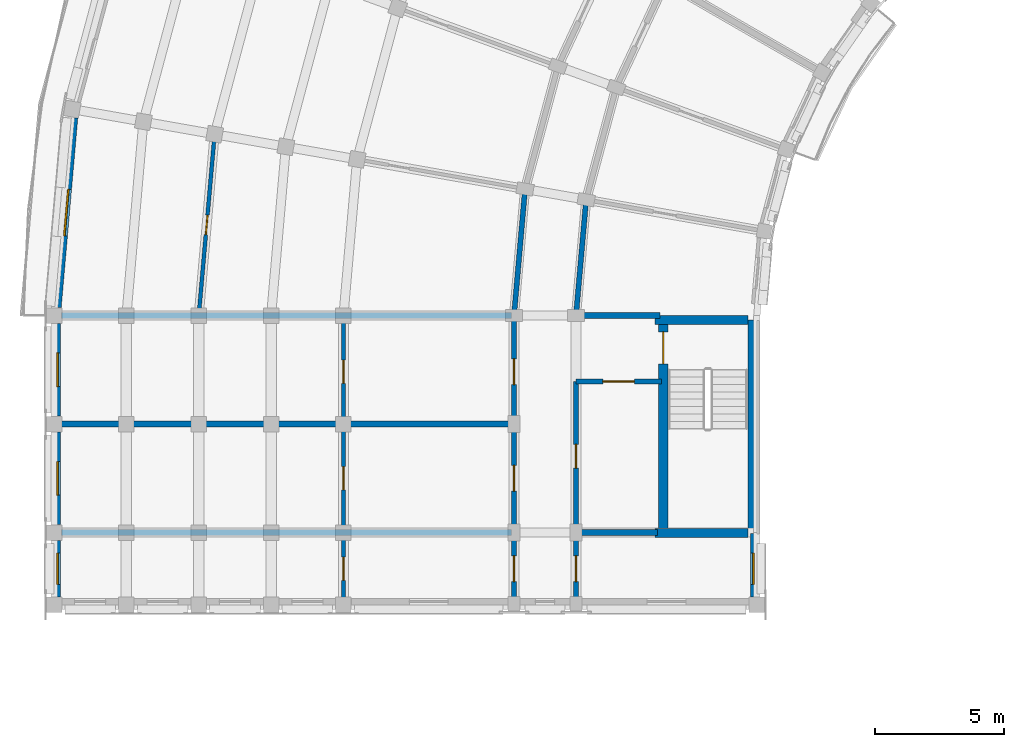
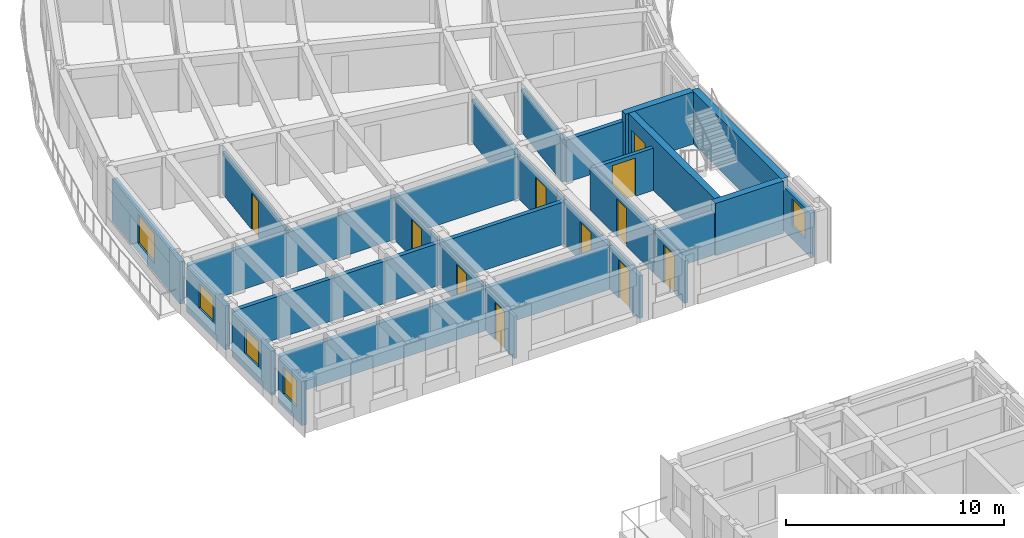
# One storey, part 22 of 53: 26 walls, 11 doors, 5 windows, 16 openings.
"""IFC4 building model written with IfcOpenShell, lengths in metres."""

from ifc_helpers import new_model, si_unit, direction, frame, frame_2d, origin, place, context, subcontext, project, spatial, rectangle, extrude, material, layer, layer_set, type_object, element, fill, save


model = new_model("IFC4")

# Units and contexts
model_context = context("Model", 3, precision=1e-05, world=origin(), true_north=direction((0.0, 1.0)))
body_context = subcontext(model_context, "Body", "Model", "MODEL_VIEW")
ifc_project = project(units=[si_unit("LENGTHUNIT", "METRE"), si_unit("AREAUNIT", "SQUARE_METRE"), si_unit("VOLUMEUNIT", "CUBIC_METRE"), si_unit("PLANEANGLEUNIT", "RADIAN"), si_unit("MASSUNIT", "GRAM", prefix="KILO")], contexts=[model_context])

# Site, building, storey
site_placement = place(None, origin())
site = spatial("IfcSite", under=ifc_project, at=site_placement, CompositionType="ELEMENT")
building_placement = place(site_placement, origin())
building = spatial("IfcBuilding", under=site, at=building_placement, Name="Kiranvali Square Residences", CompositionType="ELEMENT")
storey_placement = place(building_placement, frame((0.0, 0.0, 30.75)))
storey = spatial("IfcBuildingStorey", under=building, at=storey_placement, Name="L09", CompositionType="ELEMENT", Elevation=30.75)

# Wall, opening, door
ifc_material_1 = material(Name="Autoclaved aerated concrete blockwork masonry", Category="masonry")
ifc_layer_1 = layer(ifc_material_1, 0.199951171875)
ifc_layer_set_1 = layer_set([ifc_layer_1], Name="Autoclaved aerated concrete blockwork masonry")
wall_type_1 = type_object("IfcWallType", Name="WL-COR-200", PredefinedType="STANDARD", material=ifc_layer_set_1)
wall_1_placement = place(storey_placement, frame((25.699951171875, 85.25, 0.0), z_axis=(0.0, 0.0, 1.0), x_axis=(-1.0, 0.0, 0.0)))
wall_1 = element("IfcWall", 1, at=wall_1_placement, inside=storey, type_object=wall_type_1, Name="L09 architectural wall WL-L09-A-S3-V", PredefinedType="STANDARD", context=body_context, shape_type="SweptSolid", body=[
    extrude(rectangle(XDim=3.300048828125, YDim=0.199951171875, at=frame_2d((1.64990234375, 0.0))), origin(), (0.0, 0.0, 1.0), 2.3720703125),
])
opening_1_placement = place(wall_1_placement, frame((1.0400390625, 0.0, 0.0)))
opening_1 = element("IfcOpeningElement", 2, at=opening_1_placement, cuts=wall_1, Name="Opening FD-COR-60", PredefinedType="OPENING", context=body_context, shape_type="SweptSolid", body=[
    extrude(rectangle(XDim=1.219970703125, YDim=2.14990234375, at=frame_2d((0.60986328125, 1.074951171875))), frame((0.0, 0.10986328125, 0.0), z_axis=(0.0, -1.0, 0.0), x_axis=(1.0, 0.0, 0.0)), (0.0, 0.0, 1.0), 0.219970703125),
])
ifc_material_2 = material(Name="Fire-rated acoustic hardwood and mineral-core door assembly", Category="wood")
door_type_1 = type_object("IfcDoorType", Name="DR-FD60-1200", OperationType="NOTDEFINED", PredefinedType="DOOR", material=ifc_material_2)
door_1_placement = place(opening_1_placement, origin())
door_1 = element("IfcDoor", 3, at=door_1_placement, inside=storey, type_object=door_type_1, Name="L09 door DR-L09-0577 (DR-FD60-1200)", OperationType="SINGLE_SWING_LEFT", OverallHeight=2.14990234375, OverallWidth=1.219970703125, PredefinedType="DOOR", context=body_context, shape_type="SweptSolid", body=[
    extrude(rectangle(XDim=1.219970703125, YDim=2.14990234375, at=frame_2d((0.60986328125, 1.074951171875))), frame((0.0, 0.02490234375, 0.0), z_axis=(0.0, -1.0, 0.0), x_axis=(1.0, 0.0, 0.0)), (0.0, 0.0, 1.0), 0.050048828125),
])
fill(opening_1, door_1)

wall_2_placement = place(storey_placement, frame((22.39990234375, 85.25, 0.0), z_axis=(0.0, 0.0, 1.0), x_axis=(0.0, -1.0, 0.0)))
wall_2 = element("IfcWall", 4, at=wall_2_placement, inside=storey, type_object=wall_type_1, Name="L09 architectural wall WL-L09-A-S3-COR", PredefinedType="STANDARD", context=body_context, shape_type="SweptSolid", body=[
    extrude(rectangle(XDim=5.800048828125, YDim=0.199951171875, at=frame_2d((2.89990234375, 0.0))), origin(), (0.0, 0.0, 1.0), 2.3720703125),
])
opening_2_placement = place(wall_2_placement, frame((2.43994140625, 0.0, 0.0)))
opening_2 = element("IfcOpeningElement", 5, at=opening_2_placement, cuts=wall_2, Name="Opening FD-SVC-120", PredefinedType="OPENING", context=body_context, shape_type="SweptSolid", body=[
    extrude(rectangle(XDim=0.919921875, YDim=2.10009765625, at=frame_2d((0.4599609375, 1.050048828125))), frame((0.0, 0.10986328125, 0.0), z_axis=(0.0, -1.0, 0.0), x_axis=(1.0, 0.0, 0.0)), (0.0, 0.0, 1.0), 0.219970703125),
])
door_type_2 = type_object("IfcDoorType", Name="DR-SVC-900", OperationType="NOTDEFINED", PredefinedType="DOOR", material=ifc_material_2)
door_2_placement = place(opening_2_placement, frame((0.919921875, 0.0, 0.0), z_axis=(0.0, 0.0, 1.0), x_axis=(-1.0, 0.0, 0.0)))
door_2 = element("IfcDoor", 6, at=door_2_placement, inside=storey, type_object=door_type_2, Name="L09 door DR-L09-0578 (DR-SVC-900)", OperationType="SINGLE_SWING_RIGHT", OverallHeight=2.10009765625, OverallWidth=0.919921875, PredefinedType="DOOR", context=body_context, shape_type="SweptSolid", body=[
    extrude(rectangle(XDim=0.919921875, YDim=2.10009765625, at=frame_2d((0.4599609375, 1.050048828125))), frame((0.0, 0.02490234375, 0.0), z_axis=(0.0, -1.0, 0.0), x_axis=(1.0, 0.0, 0.0)), (0.0, 0.0, 1.0), 0.050048828125),
])
fill(opening_2, door_2)

# Walls
wall_3_placement = place(storey_placement, frame((22.7919921875, 92.280029296875, 0.0), z_axis=(0.0, 0.0, 1.0), x_axis=(-0.087187153726, -0.996191949488, 0.0)))
element("IfcWall", 7, at=wall_3_placement, inside=storey, type_object=wall_type_1, Name="L09 architectural wall WL-L09-A-CCI-8", PredefinedType="STANDARD", context=body_context, shape_type="SweptSolid", body=[
    extrude(rectangle(XDim=4.4970703125, YDim=0.199951171875, at=frame_2d((2.24853515625, 0.0))), origin(), (0.0, 0.0, 1.0), 2.3720703125),
])
wall_4_placement = place(storey_placement, frame((20.428466796875, 92.69677734375, 0.0), z_axis=(0.0, 0.0, 1.0), x_axis=(-0.087167566415, -0.996193663584, 0.0)))
element("IfcWall", 8, at=wall_4_placement, inside=storey, type_object=wall_type_1, Name="L09 architectural wall WL-L09-A-CCO-8", PredefinedType="STANDARD", context=body_context, shape_type="SweptSolid", body=[
    extrude(rectangle(XDim=4.91552734375, YDim=0.199951171875, at=frame_2d((2.457763671875, 0.0))), origin(), (0.0, 0.0, 1.0), 2.3720703125),
])

# Wall, opening, door
wall_5_placement = place(storey_placement, frame((20.0, 87.64990234375, 0.0), z_axis=(0.0, 0.0, 1.0), x_axis=(0.0, -1.0, 0.0)))
wall_5 = element("IfcWall", 9, at=wall_5_placement, inside=storey, type_object=wall_type_1, Name="L09 architectural wall WL-L09-A-A2CF-C0", PredefinedType="STANDARD", context=body_context, shape_type="SweptSolid", body=[
    extrude(rectangle(XDim=4.0498046875, YDim=0.199951171875, at=frame_2d((2.02490234375, 0.0))), origin(), (0.0, 0.0, 1.0), 2.3720703125),
])
opening_3_placement = place(wall_5_placement, frame((1.52490234375, 0.0, 0.0)))
opening_3 = element("IfcOpeningElement", 10, at=opening_3_placement, cuts=wall_5, Name="Opening FD-APT-60", PredefinedType="OPENING", context=body_context, shape_type="SweptSolid", body=[
    extrude(rectangle(XDim=1.0, YDim=2.14990234375, at=frame_2d((0.5, 1.074951171875))), frame((0.0, 0.10986328125, 0.0), z_axis=(0.0, -1.0, 0.0), x_axis=(1.0, 0.0, 0.0)), (0.0, 0.0, 1.0), 0.219970703125),
])
door_type_3 = type_object("IfcDoorType", Name="DR-APT-1000", OperationType="NOTDEFINED", PredefinedType="DOOR", material=ifc_material_2)
door_3_placement = place(opening_3_placement, origin())
door_3 = element("IfcDoor", 11, at=door_3_placement, inside=storey, type_object=door_type_3, Name="L09 door DR-L09-0619 (DR-APT-1000)", OperationType="SINGLE_SWING_LEFT", OverallHeight=2.14990234375, OverallWidth=1.0, PredefinedType="DOOR", context=body_context, shape_type="SweptSolid", body=[
    extrude(rectangle(XDim=1.0, YDim=2.14990234375, at=frame_2d((0.5, 1.074951171875))), frame((0.0, 0.02490234375, 0.0), z_axis=(0.0, -1.0, 0.0), x_axis=(1.0, 0.0, 0.0)), (0.0, 0.0, 1.0), 0.050048828125),
])
fill(opening_3, door_3)

wall_6_placement = place(storey_placement, frame((20.0, 83.60009765625, 0.0), z_axis=(0.0, 0.0, 1.0), x_axis=(0.0, -1.0, 0.0)))
wall_6 = element("IfcWall", 12, at=wall_6_placement, inside=storey, type_object=wall_type_1, Name="L09 architectural wall WL-L09-A-A2CF-C1", PredefinedType="STANDARD", context=body_context, shape_type="SweptSolid", body=[
    extrude(rectangle(XDim=4.2001953125, YDim=0.199951171875, at=frame_2d((2.10009765625, 0.0))), origin(), (0.0, 0.0, 1.0), 2.3720703125),
])
opening_4_placement = place(wall_6_placement, frame((1.60009765625, 0.0, 0.0)))
opening_4 = element("IfcOpeningElement", 13, at=opening_4_placement, cuts=wall_6, Name="Opening FD-APT-60", PredefinedType="OPENING", context=body_context, shape_type="SweptSolid", body=[
    extrude(rectangle(XDim=1.0, YDim=2.14990234375, at=frame_2d((0.5, 1.074951171875))), frame((0.0, 0.10986328125, 0.0), z_axis=(0.0, -1.0, 0.0), x_axis=(1.0, 0.0, 0.0)), (0.0, 0.0, 1.0), 0.219970703125),
])
door_4_placement = place(opening_4_placement, origin())
door_4 = element("IfcDoor", 14, at=door_4_placement, inside=storey, type_object=door_type_3, Name="L09 door DR-L09-0621 (DR-APT-1000)", OperationType="SINGLE_SWING_LEFT", OverallHeight=2.14990234375, OverallWidth=1.0, PredefinedType="DOOR", context=body_context, shape_type="SweptSolid", body=[
    extrude(rectangle(XDim=1.0, YDim=2.14990234375, at=frame_2d((0.5, 1.074951171875))), frame((0.0, 0.02490234375, 0.0), z_axis=(0.0, -1.0, 0.0), x_axis=(1.0, 0.0, 0.0)), (0.0, 0.0, 1.0), 0.050048828125),
])
fill(opening_4, door_4)

wall_7_placement = place(storey_placement, frame((22.39990234375, 79.39990234375, 0.0), z_axis=(0.0, 0.0, 1.0), x_axis=(0.0, -1.0, 0.0)))
wall_7 = element("IfcWall", 15, at=wall_7_placement, inside=storey, type_object=wall_type_1, Name="L09 architectural wall WL-L09-A-A2CI-0", PredefinedType="STANDARD", context=body_context, shape_type="SweptSolid", body=[
    extrude(rectangle(XDim=2.7998046875, YDim=0.199951171875, at=frame_2d((1.39990234375, 0.0))), origin(), (0.0, 0.0, 1.0), 2.3720703125),
])
opening_5_placement = place(wall_7_placement, frame((0.89990234375, 0.0, 0.0)))
opening_5 = element("IfcOpeningElement", 16, at=opening_5_placement, cuts=wall_7, Name="Opening FD-APT-60", PredefinedType="OPENING", context=body_context, shape_type="SweptSolid", body=[
    extrude(rectangle(XDim=1.0, YDim=2.14990234375, at=frame_2d((0.5, 1.074951171875))), frame((0.0, 0.10986328125, 0.0), z_axis=(0.0, -1.0, 0.0), x_axis=(1.0, 0.0, 0.0)), (0.0, 0.0, 1.0), 0.219970703125),
])
door_5_placement = place(opening_5_placement, origin())
door_5 = element("IfcDoor", 17, at=door_5_placement, inside=storey, type_object=door_type_3, Name="L09 door DR-L09-0623 (DR-APT-1000)", OperationType="SINGLE_SWING_LEFT", OverallHeight=2.14990234375, OverallWidth=1.0, PredefinedType="DOOR", context=body_context, shape_type="SweptSolid", body=[
    extrude(rectangle(XDim=1.0, YDim=2.14990234375, at=frame_2d((0.5, 1.074951171875))), frame((0.0, 0.02490234375, 0.0), z_axis=(0.0, -1.0, 0.0), x_axis=(1.0, 0.0, 0.0)), (0.0, 0.0, 1.0), 0.050048828125),
])
fill(opening_5, door_5)

wall_8_placement = place(storey_placement, frame((20.0, 79.39990234375, 0.0), z_axis=(0.0, 0.0, 1.0), x_axis=(0.0, -1.0, 0.0)))
wall_8 = element("IfcWall", 18, at=wall_8_placement, inside=storey, type_object=wall_type_1, Name="L09 architectural wall WL-L09-A-A2CO-0", PredefinedType="STANDARD", context=body_context, shape_type="SweptSolid", body=[
    extrude(rectangle(XDim=2.7998046875, YDim=0.199951171875, at=frame_2d((1.39990234375, 0.0))), origin(), (0.0, 0.0, 1.0), 2.3720703125),
])
opening_6_placement = place(wall_8_placement, frame((0.89990234375, 0.0, 0.0)))
opening_6 = element("IfcOpeningElement", 19, at=opening_6_placement, cuts=wall_8, Name="Opening FD-APT-60", PredefinedType="OPENING", context=body_context, shape_type="SweptSolid", body=[
    extrude(rectangle(XDim=1.0, YDim=2.14990234375, at=frame_2d((0.5, 1.074951171875))), frame((0.0, 0.10986328125, 0.0), z_axis=(0.0, -1.0, 0.0), x_axis=(1.0, 0.0, 0.0)), (0.0, 0.0, 1.0), 0.219970703125),
])
door_6_placement = place(opening_6_placement, origin())
door_6 = element("IfcDoor", 20, at=door_6_placement, inside=storey, type_object=door_type_3, Name="L09 door DR-L09-0625 (DR-APT-1000)", OperationType="SINGLE_SWING_LEFT", OverallHeight=2.14990234375, OverallWidth=1.0, PredefinedType="DOOR", context=body_context, shape_type="SweptSolid", body=[
    extrude(rectangle(XDim=1.0, YDim=2.14990234375, at=frame_2d((0.5, 1.074951171875))), frame((0.0, 0.02490234375, 0.0), z_axis=(0.0, -1.0, 0.0), x_axis=(1.0, 0.0, 0.0)), (0.0, 0.0, 1.0), 0.050048828125),
])
fill(opening_6, door_6)

# Walls
ifc_layer_2 = layer(ifc_material_1, 0.219970703125)
ifc_layer_set_2 = layer_set([ifc_layer_2], Name="Autoclaved aerated concrete blockwork masonry")
wall_type_2 = type_object("IfcWallType", Name="WL-DEM-220", PredefinedType="STANDARD", material=ifc_layer_set_2)
wall_9_placement = place(storey_placement, frame((25.64990234375, 87.800048828125, 0.0), z_axis=(0.0, 0.0, 1.0), x_axis=(-1.0, 0.0, 0.0)))
element("IfcWall", 21, at=wall_9_placement, inside=storey, type_object=wall_type_2, Name="L09 architectural wall WL-L09-A-RADI-9", PredefinedType="STANDARD", context=body_context, shape_type="SweptSolid", body=[
    extrude(rectangle(XDim=3.199951171875, YDim=0.219970703125, at=frame_2d((1.60009765625, 0.0))), origin(), (0.0, 0.0, 1.0), 2.3720703125),
])
wall_10_placement = place(storey_placement, frame((19.89990234375, 87.800048828125, 0.0), z_axis=(0.0, 0.0, 1.0), x_axis=(-1.0, 0.0, 0.0)))
element("IfcWall", 22, at=wall_10_placement, inside=storey, type_object=wall_type_2, Name="L09 architectural wall WL-L09-A-RADO-9", PredefinedType="STANDARD", context=body_context, shape_type="SweptSolid", body=[
    extrude(rectangle(XDim=17.419921875, YDim=0.219970703125, at=frame_2d((8.7099609375, 0.0))), origin(), (0.0, 0.0, 1.0), 2.3720703125),
])
wall_11_placement = place(storey_placement, frame((19.949951171875, 83.60009765625, 0.0), z_axis=(0.0, 0.0, 1.0), x_axis=(-1.0, 0.0, 0.0)))
element("IfcWall", 23, at=wall_11_placement, inside=storey, type_object=wall_type_2, Name="L09 architectural wall WL-L09-A-A2CF-MID", PredefinedType="STANDARD", context=body_context, shape_type="SweptSolid", body=[
    extrude(rectangle(XDim=17.530029296875, YDim=0.219970703125, at=frame_2d((8.76513671875, 0.0))), origin(), (0.0, 0.0, 1.0), 2.3720703125),
])
wall_12_placement = place(storey_placement, frame((25.550048828125, 79.39990234375, 0.0), z_axis=(0.0, 0.0, 1.0), x_axis=(-1.0, 0.0, 0.0)))
element("IfcWall", 24, at=wall_12_placement, inside=storey, type_object=wall_type_2, Name="L09 architectural wall WL-L09-A-A2TI-0", PredefinedType="STANDARD", context=body_context, shape_type="SweptSolid", body=[
    extrude(rectangle(XDim=3.10009765625, YDim=0.219970703125, at=frame_2d((1.550048828125, 0.0))), origin(), (0.0, 0.0, 1.0), 2.3720703125),
])
wall_13_placement = place(storey_placement, frame((19.89990234375, 79.39990234375, 0.0), z_axis=(0.0, 0.0, 1.0), x_axis=(-1.0, 0.0, 0.0)))
element("IfcWall", 25, at=wall_13_placement, inside=storey, type_object=wall_type_2, Name="L09 architectural wall WL-L09-A-A2TO-0", PredefinedType="STANDARD", context=body_context, shape_type="SweptSolid", body=[
    extrude(rectangle(XDim=17.419921875, YDim=0.219970703125, at=frame_2d((8.7099609375, 0.0))), origin(), (0.0, 0.0, 1.0), 2.3720703125),
])

# Wall, opening, window
ifc_material_3 = material(Name="Breathable lime-rendered clay brick masonry", Category="masonry")
ifc_layer_3 = layer(ifc_material_3, 0.25)
ifc_layer_set_3 = layer_set([ifc_layer_3], Name="Breathable lime-rendered clay brick masonry")
wall_type_3 = type_object("IfcWallType", Name="WL-EXT-250", PredefinedType="STANDARD", material=ifc_layer_set_3)
wall_14_placement = place(storey_placement, frame((2.994873046875, 95.45263671875, 0.0), z_axis=(0.0, 0.0, 1.0), x_axis=(-0.087122963287, -0.996197565379, 0.0)))
wall_14 = element("IfcWall", 26, at=wall_14_placement, inside=storey, type_object=wall_type_3, Name="L09 exterior wall A-L09-CRV-08", PredefinedType="STANDARD", context=body_context, shape_type="SweptSolid", body=[
    extrude(rectangle(XDim=7.3671875, YDim=0.25, at=frame_2d((3.68359375, 0.0))), origin(), (0.0, 0.0, 1.0), 2.3720703125),
])
opening_7_placement = place(wall_14_placement, frame((2.783447265625, 0.0, 0.52197265625)))
opening_7 = element("IfcOpeningElement", 27, at=opening_7_placement, cuts=wall_14, Name="Opening W-04", PredefinedType="OPENING", context=body_context, shape_type="SweptSolid", body=[
    extrude(rectangle(XDim=1.800048828125, YDim=1.64990234375, at=frame_2d((0.89990234375, 0.824951171875))), frame((0.0, 0.135009765625, 0.0), z_axis=(0.0, -1.0, 0.0), x_axis=(1.0, 0.0, 0.0)), (0.0, 0.0, 1.0), 0.27001953125),
])
ifc_material_4 = material(Name="Solar-control low-e double glazing", Category="glass")
window_type_1 = type_object("IfcWindowType", Name="WIN-RES-1800x1650", PartitioningType="DOUBLE_PANEL_VERTICAL", PredefinedType="WINDOW", material=ifc_material_4)
window_1_placement = place(opening_7_placement, origin())
window_1 = element("IfcWindow", 28, at=window_1_placement, inside=storey, type_object=window_type_1, Name="L09 recessed window A-L09-CRV-08", OverallHeight=1.64990234375, OverallWidth=1.800048828125, PartitioningType="DOUBLE_PANEL_VERTICAL", PredefinedType="WINDOW", context=body_context, shape_type="SweptSolid", body=[
    extrude(rectangle(XDim=1.800048828125, YDim=1.64990234375, at=frame_2d((0.89990234375, 0.824951171875))), frame((0.0, 0.030029296875, 0.0), z_axis=(0.0, -1.0, 0.0), x_axis=(1.0, 0.0, 0.0)), (0.0, 0.0, 1.0), 0.06005859375),
])
fill(opening_7, window_1)

wall_15_placement = place(storey_placement, frame((2.324951171875, 87.49658203125, 0.0), z_axis=(0.0, 0.0, 1.0), x_axis=(0.0, -1.0, 0.0)))
wall_15 = element("IfcWall", 29, at=wall_15_placement, inside=storey, type_object=wall_type_3, Name="L09 exterior wall A-L09-A2O-0", PredefinedType="STANDARD", context=body_context, shape_type="SweptSolid", body=[
    extrude(rectangle(XDim=3.593017578125, YDim=0.25, at=frame_2d((1.79638671875, 0.0))), origin(), (0.0, 0.0, 1.0), 2.471923828125),
])
opening_8_placement = place(wall_15_placement, frame((1.146484375, 0.0, 0.8798828125)))
opening_8 = element("IfcOpeningElement", 30, at=opening_8_placement, cuts=wall_15, Name="Opening W-23", PredefinedType="OPENING", context=body_context, shape_type="SweptSolid", body=[
    extrude(rectangle(XDim=1.300048828125, YDim=1.39990234375, at=frame_2d((0.64990234375, 0.699951171875))), frame((0.0, 0.135009765625, 0.0), z_axis=(0.0, -1.0, 0.0), x_axis=(1.0, 0.0, 0.0)), (0.0, 0.0, 1.0), 0.27001953125),
])
window_type_2 = type_object("IfcWindowType", Name="WIN-COR-1300x1400", PartitioningType="DOUBLE_PANEL_HORIZONTAL", PredefinedType="WINDOW", material=ifc_material_4)
window_2_placement = place(opening_8_placement, origin())
window_2 = element("IfcWindow", 31, at=window_2_placement, inside=storey, type_object=window_type_2, Name="L09 recessed window A-L09-A2O-0", OverallHeight=1.39990234375, OverallWidth=1.300048828125, PartitioningType="DOUBLE_PANEL_HORIZONTAL", PredefinedType="WINDOW", context=body_context, shape_type="SweptSolid", body=[
    extrude(rectangle(XDim=1.300048828125, YDim=1.39990234375, at=frame_2d((0.64990234375, 0.699951171875))), frame((0.0, 0.030029296875, 0.0), z_axis=(0.0, -1.0, 0.0), x_axis=(1.0, 0.0, 0.0)), (0.0, 0.0, 1.0), 0.06005859375),
])
fill(opening_8, window_2)

wall_16_placement = place(storey_placement, frame((2.324951171875, 83.29638671875, 0.0), z_axis=(0.0, 0.0, 1.0), x_axis=(0.0, -1.0, 0.0)))
wall_16 = element("IfcWall", 32, at=wall_16_placement, inside=storey, type_object=wall_type_3, Name="L09 exterior wall A-L09-A2O-1", PredefinedType="STANDARD", context=body_context, shape_type="SweptSolid", body=[
    extrude(rectangle(XDim=3.5927734375, YDim=0.25, at=frame_2d((1.79638671875, 0.0))), origin(), (0.0, 0.0, 1.0), 2.471923828125),
])
opening_9_placement = place(wall_16_placement, frame((1.146484375, 0.0, 0.8798828125)))
opening_9 = element("IfcOpeningElement", 33, at=opening_9_placement, cuts=wall_16, Name="Opening W-23", PredefinedType="OPENING", context=body_context, shape_type="SweptSolid", body=[
    extrude(rectangle(XDim=1.300048828125, YDim=1.39990234375, at=frame_2d((0.64990234375, 0.699951171875))), frame((0.0, 0.135009765625, 0.0), z_axis=(0.0, -1.0, 0.0), x_axis=(1.0, 0.0, 0.0)), (0.0, 0.0, 1.0), 0.27001953125),
])
window_3_placement = place(opening_9_placement, origin())
window_3 = element("IfcWindow", 34, at=window_3_placement, inside=storey, type_object=window_type_2, Name="L09 recessed window A-L09-A2O-1", OverallHeight=1.39990234375, OverallWidth=1.300048828125, PartitioningType="DOUBLE_PANEL_HORIZONTAL", PredefinedType="WINDOW", context=body_context, shape_type="SweptSolid", body=[
    extrude(rectangle(XDim=1.300048828125, YDim=1.39990234375, at=frame_2d((0.64990234375, 0.699951171875))), frame((0.0, 0.030029296875, 0.0), z_axis=(0.0, -1.0, 0.0), x_axis=(1.0, 0.0, 0.0)), (0.0, 0.0, 1.0), 0.06005859375),
])
fill(opening_9, window_3)

wall_17_placement = place(storey_placement, frame((2.324951171875, 79.096435546875, 0.0), z_axis=(0.0, 0.0, 1.0), x_axis=(0.0, -1.0, 0.0)))
wall_17 = element("IfcWall", 35, at=wall_17_placement, inside=storey, type_object=wall_type_3, Name="L09 exterior wall A-L09-A2O-2", PredefinedType="STANDARD", context=body_context, shape_type="SweptSolid", body=[
    extrude(rectangle(XDim=2.19287109375, YDim=0.25, at=frame_2d((1.096435546875, 0.0))), origin(), (0.0, 0.0, 1.0), 2.471923828125),
])
opening_10_placement = place(wall_17_placement, frame((0.49658203125, 0.0, 0.77197265625)))
opening_10 = element("IfcOpeningElement", 36, at=opening_10_placement, cuts=wall_17, Name="Opening W-06", PredefinedType="OPENING", context=body_context, shape_type="SweptSolid", body=[
    extrude(rectangle(XDim=1.199951171875, YDim=1.5, at=frame_2d((0.60009765625, 0.75))), frame((0.0, 0.135009765625, 0.0), z_axis=(0.0, -1.0, 0.0), x_axis=(1.0, 0.0, 0.0)), (0.0, 0.0, 1.0), 0.27001953125),
])
window_type_3 = type_object("IfcWindowType", Name="WIN-RES-1200x1500", PartitioningType="SINGLE_PANEL", PredefinedType="WINDOW", material=ifc_material_4)
window_4_placement = place(opening_10_placement, origin())
window_4 = element("IfcWindow", 37, at=window_4_placement, inside=storey, type_object=window_type_3, Name="L09 recessed window A-L09-A2O-2", OverallHeight=1.5, OverallWidth=1.199951171875, PartitioningType="SINGLE_PANEL", PredefinedType="WINDOW", context=body_context, shape_type="SweptSolid", body=[
    extrude(rectangle(XDim=1.199951171875, YDim=1.5, at=frame_2d((0.60009765625, 0.75))), frame((0.0, 0.030029296875, 0.0), z_axis=(0.0, -1.0, 0.0), x_axis=(1.0, 0.0, 0.0)), (0.0, 0.0, 1.0), 0.06005859375),
])
fill(opening_10, window_4)

wall_18_placement = place(storey_placement, frame((29.27490234375, 79.37158203125, 0.0), z_axis=(0.0, 0.0, 1.0), x_axis=(0.0, -1.0, 0.0)))
wall_18 = element("IfcWall", 38, at=wall_18_placement, inside=storey, type_object=wall_type_3, Name="L09 exterior wall A-L09-A2I-0", PredefinedType="STANDARD", context=body_context, shape_type="SweptSolid", body=[
    extrude(rectangle(XDim=2.468017578125, YDim=0.25, at=frame_2d((1.23388671875, 0.0))), origin(), (0.0, 0.0, 1.0), 2.471923828125),
])
opening_11_placement = place(wall_18_placement, frame((0.771484375, 0.0, 0.77197265625)))
opening_11 = element("IfcOpeningElement", 39, at=opening_11_placement, cuts=wall_18, Name="Opening W-06", PredefinedType="OPENING", context=body_context, shape_type="SweptSolid", body=[
    extrude(rectangle(XDim=1.199951171875, YDim=1.5, at=frame_2d((0.60009765625, 0.75))), frame((0.0, 0.135009765625, 0.0), z_axis=(0.0, -1.0, 0.0), x_axis=(1.0, 0.0, 0.0)), (0.0, 0.0, 1.0), 0.27001953125),
])
window_5_placement = place(opening_11_placement, origin())
window_5 = element("IfcWindow", 40, at=window_5_placement, inside=storey, type_object=window_type_3, Name="L09 recessed window A-L09-A2I-0", OverallHeight=1.5, OverallWidth=1.199951171875, PartitioningType="SINGLE_PANEL", PredefinedType="WINDOW", context=body_context, shape_type="SweptSolid", body=[
    extrude(rectangle(XDim=1.199951171875, YDim=1.5, at=frame_2d((0.60009765625, 0.75))), frame((0.0, 0.030029296875, 0.0), z_axis=(0.0, -1.0, 0.0), x_axis=(1.0, 0.0, 0.0)), (0.0, 0.0, 1.0), 0.06005859375),
])
fill(opening_11, window_5)

# Wall, opening, door
ifc_material_5 = material(Name="Acoustic gypsum board drylined partition", Category="gypsum")
ifc_layer_4 = layer(ifc_material_5, 0.14990234375)
ifc_layer_set_4 = layer_set([ifc_layer_4], Name="Acoustic gypsum board drylined partition")
wall_type_4 = type_object("IfcWallType", Name="WL-PRT-150", PredefinedType="PARTITIONING", material=ifc_layer_set_4)
wall_19_placement = place(storey_placement, frame((13.39990234375, 87.570068359375, 0.0), z_axis=(0.0, 0.0, 1.0), x_axis=(0.0, -1.0, 0.0)))
wall_19 = element("IfcWall", 41, at=wall_19_placement, inside=storey, type_object=wall_type_4, Name="L09 architectural wall WL-L09-A-A2CF-SP0", PredefinedType="PARTITIONING", context=body_context, shape_type="SweptSolid", body=[
    extrude(rectangle(XDim=3.89013671875, YDim=0.14990234375, at=frame_2d((1.945068359375, 0.0))), origin(), (0.0, 0.0, 1.0), 2.3720703125),
])
opening_12_placement = place(wall_19_placement, frame((1.4951171875, 0.0, 0.0)))
opening_12 = element("IfcOpeningElement", 42, at=opening_12_placement, cuts=wall_19, Name="Opening ID-1", PredefinedType="OPENING", context=body_context, shape_type="SweptSolid", body=[
    extrude(rectangle(XDim=0.89990234375, YDim=2.10009765625, at=frame_2d((0.449951171875, 1.050048828125))), frame((0.0, 0.0849609375, 0.0), z_axis=(0.0, -1.0, 0.0), x_axis=(1.0, 0.0, 0.0)), (0.0, 0.0, 1.0), 0.169921875),
])
ifc_material_6 = material(Name="Solid seasoned teak hardwood joinery", Category="wood")
door_type_4 = type_object("IfcDoorType", Name="DR-INT-900", OperationType="NOTDEFINED", PredefinedType="DOOR", material=ifc_material_6)
door_7_placement = place(opening_12_placement, frame((0.89990234375, 0.0, 0.0), z_axis=(0.0, 0.0, 1.0), x_axis=(-1.0, 0.0, 0.0)))
door_7 = element("IfcDoor", 43, at=door_7_placement, inside=storey, type_object=door_type_4, Name="L09 door DR-L09-0620 (DR-INT-900)", OperationType="SINGLE_SWING_RIGHT", OverallHeight=2.10009765625, OverallWidth=0.89990234375, PredefinedType="DOOR", context=body_context, shape_type="SweptSolid", body=[
    extrude(rectangle(XDim=0.89990234375, YDim=2.10009765625, at=frame_2d((0.449951171875, 1.050048828125))), frame((0.0, 0.02490234375, 0.0), z_axis=(0.0, -1.0, 0.0), x_axis=(1.0, 0.0, 0.0)), (0.0, 0.0, 1.0), 0.050048828125),
])
fill(opening_12, door_7)

wall_20_placement = place(storey_placement, frame((13.39990234375, 83.52001953125, 0.0), z_axis=(0.0, 0.0, 1.0), x_axis=(0.0, -1.0, 0.0)))
wall_20 = element("IfcWall", 44, at=wall_20_placement, inside=storey, type_object=wall_type_4, Name="L09 architectural wall WL-L09-A-A2CF-SP1", PredefinedType="PARTITIONING", context=body_context, shape_type="SweptSolid", body=[
    extrude(rectangle(XDim=4.0400390625, YDim=0.14990234375, at=frame_2d((2.02001953125, 0.0))), origin(), (0.0, 0.0, 1.0), 2.3720703125),
])
opening_13_placement = place(wall_20_placement, frame((1.570068359375, 0.0, 0.0)))
opening_13 = element("IfcOpeningElement", 45, at=opening_13_placement, cuts=wall_20, Name="Opening ID-1", PredefinedType="OPENING", context=body_context, shape_type="SweptSolid", body=[
    extrude(rectangle(XDim=0.89990234375, YDim=2.10009765625, at=frame_2d((0.449951171875, 1.050048828125))), frame((0.0, 0.0849609375, 0.0), z_axis=(0.0, -1.0, 0.0), x_axis=(1.0, 0.0, 0.0)), (0.0, 0.0, 1.0), 0.169921875),
])
door_8_placement = place(opening_13_placement, frame((0.89990234375, 0.0, 0.0), z_axis=(0.0, 0.0, 1.0), x_axis=(-1.0, 0.0, 0.0)))
door_8 = element("IfcDoor", 46, at=door_8_placement, inside=storey, type_object=door_type_4, Name="L09 door DR-L09-0622 (DR-INT-900)", OperationType="SINGLE_SWING_RIGHT", OverallHeight=2.10009765625, OverallWidth=0.89990234375, PredefinedType="DOOR", context=body_context, shape_type="SweptSolid", body=[
    extrude(rectangle(XDim=0.89990234375, YDim=2.10009765625, at=frame_2d((0.449951171875, 1.050048828125))), frame((0.0, 0.02490234375, 0.0), z_axis=(0.0, -1.0, 0.0), x_axis=(1.0, 0.0, 0.0)), (0.0, 0.0, 1.0), 0.050048828125),
])
fill(opening_13, door_8)

# Wall
ifc_material_7 = material(Name="Concrete M45 (45 MPa)", Category="concrete")
ifc_layer_5 = layer(ifc_material_7, 0.320068359375)
ifc_layer_set_5 = layer_set([ifc_layer_5], Name="Concrete M45 (45 MPa)")
wall_type_5 = type_object("IfcWallType", Name="WL-SHR-320", PredefinedType="SHEAR", material=ifc_layer_set_5)
wall_21_placement = place(storey_placement, frame((29.22509765625, 87.625, 0.0), z_axis=(0.0, 0.0, 1.0), x_axis=(0.0, -1.0, 0.0)))
element("IfcWall", 47, at=wall_21_placement, inside=storey, type_object=wall_type_5, Name="Block A core shear wall SW-A3-OUT-L09", PredefinedType="SHEAR", context=body_context, shape_type="SweptSolid", body=[
    extrude(rectangle(XDim=8.25, YDim=0.35009765625, at=frame_2d((4.125, 0.0))), origin(), (0.0, 0.0, 1.0), 2.929931640625),
])

# Wall, opening, door
wall_22_placement = place(storey_placement, frame((25.77490234375, 87.449951171875, 0.0), z_axis=(0.0, 0.0, 1.0), x_axis=(0.0, -1.0, 0.0)))
wall_22 = element("IfcWall", 48, at=wall_22_placement, inside=storey, type_object=wall_type_5, Name="Block A core shear wall SW-A3-IN-L09", PredefinedType="SHEAR", context=body_context, shape_type="SweptSolid", body=[
    extrude(rectangle(XDim=7.89990234375, YDim=0.35009765625, at=frame_2d((3.949951171875, 0.0))), origin(), (0.0, 0.0, 1.0), 2.929931640625),
])
opening_14_placement = place(wall_22_placement, frame((0.280029296875, 0.0, 0.0)))
opening_14 = element("IfcOpeningElement", 49, at=opening_14_placement, cuts=wall_22, Name="Opening FD-ST-120", PredefinedType="OPENING", context=body_context, shape_type="SweptSolid", body=[
    extrude(rectangle(XDim=1.239990234375, YDim=2.14990234375, at=frame_2d((0.6201171875, 1.074951171875))), frame((0.0, 0.18505859375, 0.0), z_axis=(0.0, -1.0, 0.0), x_axis=(1.0, 0.0, 0.0)), (0.0, 0.0, 1.0), 0.3701171875),
])
door_type_5 = type_object("IfcDoorType", Name="DR-FD120-1200", OperationType="NOTDEFINED", PredefinedType="DOOR", material=ifc_material_2)
door_9_placement = place(opening_14_placement, origin())
door_9 = element("IfcDoor", 50, at=door_9_placement, inside=storey, type_object=door_type_5, Name="L09 door DR-L09-0573 (DR-FD120-1200)", OperationType="SINGLE_SWING_LEFT", OverallHeight=2.14990234375, OverallWidth=1.239990234375, PredefinedType="DOOR", context=body_context, shape_type="SweptSolid", body=[
    extrude(rectangle(XDim=1.239990234375, YDim=2.14990234375, at=frame_2d((0.6201171875, 1.074951171875))), frame((0.0, 0.02490234375, 0.0), z_axis=(0.0, -1.0, 0.0), x_axis=(1.0, 0.0, 0.0)), (0.0, 0.0, 1.0), 0.050048828125),
])
fill(opening_14, door_9)

# Walls
for number, where, z_axis, x_axis, name in (
    (51, (29.050048828125, 87.625, 0.0), (0.0, 0.0, 1.0), (-1.0, 0.0, 0.0), "Block A core shear wall SW-A3-NEAR-L09"),
    (52, (29.050048828125, 79.375, 0.0), (0.0, 0.0, 1.0), (-1.0, 0.0, 0.0), "Block A core shear wall SW-A3-FAR-L09"),
):
    element("IfcWall", number, at=place(storey_placement, frame(where, z_axis=z_axis, x_axis=x_axis)), inside=storey, type_object=wall_type_5, Name=name, PredefinedType="SHEAR", context=body_context, shape_type="SweptSolid", body=[
        extrude(rectangle(XDim=3.60009765625, YDim=0.35009765625, at=frame_2d((1.800048828125, 0.0))), origin(), (0.0, 0.0, 1.0), 2.929931640625),
    ])

# Wall, opening, door
ifc_layer_6 = layer(ifc_material_1, 0.14990234375)
ifc_layer_set_6 = layer_set([ifc_layer_6], Name="Autoclaved aerated concrete blockwork masonry")
wall_type_6 = type_object("IfcWallType", Name="WL-WET-150", PredefinedType="PLUMBINGWALL", material=ifc_layer_set_6)
wall_23_placement = place(storey_placement, frame((8.413818359375, 94.8154296875, 0.0), z_axis=(0.0, 0.0, 1.0), x_axis=(-0.087156198737, -0.996194658198, 0.0)))
wall_23 = element("IfcWall", 53, at=wall_23_placement, inside=storey, type_object=wall_type_6, Name="L09 architectural wall WL-L09-A-CWET-8", PredefinedType="PLUMBINGWALL", context=body_context, shape_type="SweptSolid", body=[
    extrude(rectangle(XDim=7.042236328125, YDim=0.14990234375, at=frame_2d((3.52099609375, 0.0))), origin(), (0.0, 0.0, 1.0), 2.3720703125),
])
opening_15_placement = place(wall_23_placement, frame((3.14111328125, 0.0, 0.0)))
opening_15 = element("IfcOpeningElement", 54, at=opening_15_placement, cuts=wall_23, Name="Opening ID-WET0", PredefinedType="OPENING", context=body_context, shape_type="SweptSolid", body=[
    extrude(rectangle(XDim=0.760009765625, YDim=2.050048828125, at=frame_2d((0.3798828125, 1.02490234375))), frame((0.0, 0.0849609375, 0.0), z_axis=(0.0, -1.0, 0.0), x_axis=(1.0, 0.0, 0.0)), (0.0, 0.0, 1.0), 0.169921875),
])
door_type_6 = type_object("IfcDoorType", Name="DR-WET-760", OperationType="NOTDEFINED", PredefinedType="DOOR", material=ifc_material_6)
door_10_placement = place(opening_15_placement, origin())
door_10 = element("IfcDoor", 55, at=door_10_placement, inside=storey, type_object=door_type_6, Name="L09 door DR-L09-0615 (DR-WET-760)", OperationType="SINGLE_SWING_LEFT", OverallHeight=2.050048828125, OverallWidth=0.760009765625, PredefinedType="DOOR", context=body_context, shape_type="SweptSolid", body=[
    extrude(rectangle(XDim=0.760009765625, YDim=2.050048828125, at=frame_2d((0.3798828125, 1.02490234375))), frame((0.0, 0.02490234375, 0.0), z_axis=(0.0, -1.0, 0.0), x_axis=(1.0, 0.0, 0.0)), (0.0, 0.0, 1.0), 0.050048828125),
])
fill(opening_15, door_10)

wall_24_placement = place(storey_placement, frame((13.39990234375, 79.320068359375, 0.0), z_axis=(0.0, 0.0, 1.0), x_axis=(0.0, -1.0, 0.0)))
wall_24 = element("IfcWall", 56, at=wall_24_placement, inside=storey, type_object=wall_type_6, Name="L09 architectural wall WL-L09-A-A2SP-0", PredefinedType="PLUMBINGWALL", context=body_context, shape_type="SweptSolid", body=[
    extrude(rectangle(XDim=2.64013671875, YDim=0.14990234375, at=frame_2d((1.320068359375, 0.0))), origin(), (0.0, 0.0, 1.0), 2.3720703125),
])
opening_16_placement = place(wall_24_placement, frame((0.8701171875, 0.0, 0.0)))
opening_16 = element("IfcOpeningElement", 57, at=opening_16_placement, cuts=wall_24, Name="Opening ID-1", PredefinedType="OPENING", context=body_context, shape_type="SweptSolid", body=[
    extrude(rectangle(XDim=0.89990234375, YDim=2.10009765625, at=frame_2d((0.449951171875, 1.050048828125))), frame((0.0, 0.0849609375, 0.0), z_axis=(0.0, -1.0, 0.0), x_axis=(1.0, 0.0, 0.0)), (0.0, 0.0, 1.0), 0.169921875),
])
door_11_placement = place(opening_16_placement, frame((0.89990234375, 0.0, 0.0), z_axis=(0.0, 0.0, 1.0), x_axis=(-1.0, 0.0, 0.0)))
door_11 = element("IfcDoor", 58, at=door_11_placement, inside=storey, type_object=door_type_4, Name="L09 door DR-L09-0624 (DR-INT-900)", OperationType="SINGLE_SWING_RIGHT", OverallHeight=2.10009765625, OverallWidth=0.89990234375, PredefinedType="DOOR", context=body_context, shape_type="SweptSolid", body=[
    extrude(rectangle(XDim=0.89990234375, YDim=2.10009765625, at=frame_2d((0.449951171875, 1.050048828125))), frame((0.0, 0.02490234375, 0.0), z_axis=(0.0, -1.0, 0.0), x_axis=(1.0, 0.0, 0.0)), (0.0, 0.0, 1.0), 0.050048828125),
])
fill(opening_16, door_11)

save(model, "model.ifc")
